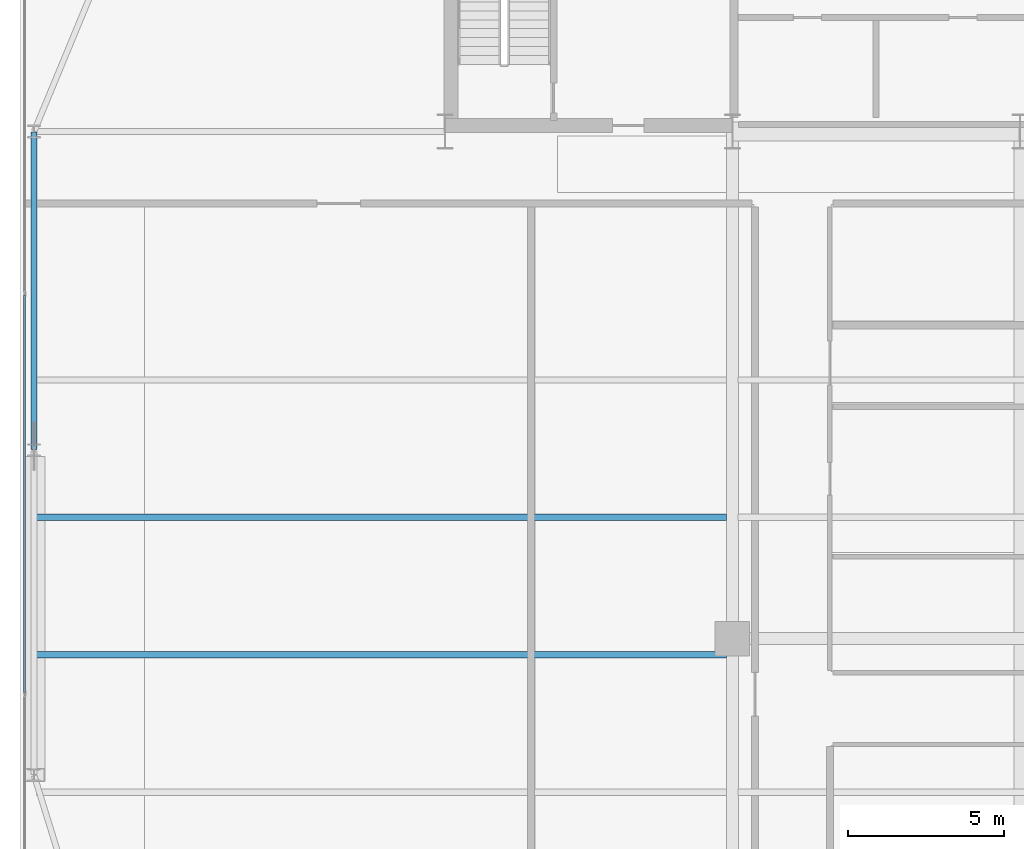
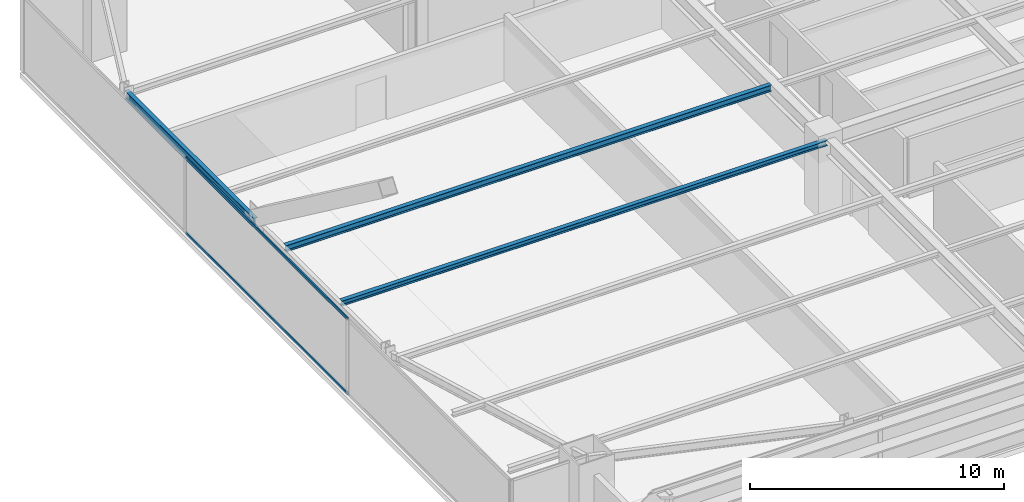
# One storey, part 9 of 35: 3 beams, 2 members, 1 element without a shape of its own.
"""IFC4 building model written with IfcOpenShell, lengths in metres."""

from ifc_helpers import new_model, si_unit, direction, frame, origin, origin_2d, place, context, subcontext, project, spatial, hollow_rectangle, i_section, extrude, source, transform, mapped, material, layer, layer_set, material_profile, profile_set, type_object, type_shapes, element, aggregate, save


model = new_model("IFC4")

# Units and contexts
model_context = context("Model", 3, precision=1e-05, world=origin(), true_north=direction((0.0, 1.0)))
body_context = subcontext(model_context, "Body", "Model", "MODEL_VIEW")
ifc_project = project(units=[si_unit("LENGTHUNIT", "METRE"), si_unit("AREAUNIT", "SQUARE_METRE"), si_unit("VOLUMEUNIT", "CUBIC_METRE"), si_unit("PLANEANGLEUNIT", "RADIAN"), si_unit("MASSUNIT", "GRAM", prefix="KILO")], contexts=[model_context])

# Site, building, storey
site_placement = place(None, origin())
site = spatial("IfcSite", under=ifc_project, at=site_placement, CompositionType="ELEMENT")
building_placement = place(site_placement, origin())
building = spatial("IfcBuilding", under=site, at=building_placement, Name="Varnel Quay Broadcast Tower", CompositionType="ELEMENT")
storey_placement = place(building_placement, frame((0.0, 0.0, 31.5)))
storey = spatial("IfcBuildingStorey", under=building, at=storey_placement, Name="L06", CompositionType="ELEMENT", Elevation=31.5)

# Beams
ifc_material_1 = material(Name="Structural Steel CSA G40.21 350W", Category="steel")
ifc_material_profile_1 = material_profile(ifc_material_1, i_section(OverallWidth=0.180908203125, OverallDepth=0.4169921875, WebThickness=0.010986328125, FlangeThickness=0.018310546875, FilletRadius=0.011962890625, at=origin_2d()), Name="W410X85")
ifc_profile_set_1 = profile_set([ifc_material_profile_1], Name="Structural Steel CSA G40.21 350W")
beam_type_1 = type_object("IfcBeamType", Name="Beam_W410X85", PredefinedType="SPANDREL", material=ifc_profile_set_1)
shared_shape_1 = source(origin(), body_context, "Body", "SweptSolid", [
    extrude(i_section(OverallWidth=0.180908203125, OverallDepth=0.4169921875, WebThickness=0.010986328125, FlangeThickness=0.018310546875, FilletRadius=0.011962890625, at=origin_2d()), origin(), (0.0, 0.0, 1.0), 10.16015625),
])
type_shapes(beam_type_1, [shared_shape_1])
beam_1_placement = place(storey_placement, frame((2.449951171875, 25.419921875, 3.44140625), z_axis=(0.0, 1.0, 0.0), x_axis=(-1.0, 0.0, 0.0)))
element("IfcBeam", 1, at=beam_1_placement, inside=storey, type_object=beam_type_1, Name="L06 West Spandrel TC-W2-TC-W3", PredefinedType="SPANDREL", context=body_context, shape_type="MappedRepresentation", body=[
    mapped(shared_shape_1, transform((0.0, 0.0, 0.0), x_axis=(1.0, 0.0, 0.0), y_axis=(0.0, 1.0, 0.0), z_axis=(0.0, 0.0, 1.0), scale=1.0)),
])
ifc_material_profile_2 = material_profile(ifc_material_1, i_section(OverallWidth=0.202880859375, OverallDepth=0.302978515625, WebThickness=0.007568359375, FlangeThickness=0.01318359375, FilletRadius=0.011962890625, at=origin_2d()), Name="W310X60")
ifc_profile_set_2 = profile_set([ifc_material_profile_2], Name="Structural Steel CSA G40.21 350W")
beam_type_2 = type_object("IfcBeamType", Name="Beam_W310X60", PredefinedType="JOIST", material=ifc_profile_set_2)
shared_shape_2 = source(origin(), body_context, "Body", "SweptSolid", [
    extrude(i_section(OverallWidth=0.202880859375, OverallDepth=0.302978515625, WebThickness=0.007568359375, FlangeThickness=0.01318359375, FilletRadius=0.011962890625, at=origin_2d()), origin(), (0.0, 0.0, 1.0), 22.0791015625),
])
type_shapes(beam_type_2, [shared_shape_2])
beam_2_placement = place(storey_placement, frame((2.535400390625, 23.25, 3.49853515625), z_axis=(1.0, 0.0, 0.0), x_axis=(0.0, 1.0, 0.0)))
element("IfcBeam", 2, at=beam_2_placement, inside=storey, type_object=beam_type_2, Name="L06 West Floor Joist 5", PredefinedType="JOIST", context=body_context, shape_type="MappedRepresentation", body=[
    mapped(shared_shape_2, transform((0.0, 0.0, 0.0), x_axis=(1.0, 0.0, 0.0), y_axis=(0.0, 1.0, 0.0), z_axis=(0.0, 0.0, 1.0), scale=1.0)),
])
ifc_material_profile_3 = material_profile(ifc_material_1, i_section(OverallWidth=0.201904296875, OverallDepth=0.2470703125, WebThickness=0.00732421875, FlangeThickness=0.010986328125, FilletRadius=0.010986328125, at=origin_2d()), Name="W250X49")
ifc_profile_set_3 = profile_set([ifc_material_profile_3], Name="Structural Steel CSA G40.21 350W")
beam_type_3 = type_object("IfcBeamType", Name="Beam_W250X49", PredefinedType="JOIST", material=ifc_profile_set_3)
shared_shape_3 = source(origin(), body_context, "Body", "SweptSolid", [
    extrude(i_section(OverallWidth=0.201904296875, OverallDepth=0.2470703125, WebThickness=0.00732421875, FlangeThickness=0.010986328125, FilletRadius=0.010986328125, at=origin_2d()), origin(), (0.0, 0.0, 1.0), 22.0791015625),
])
type_shapes(beam_type_3, [shared_shape_3])
beam_3_placement = place(storey_placement, frame((2.535400390625, 18.85009765625, 3.526611328125), z_axis=(1.0, 0.0, 0.0), x_axis=(0.0, 1.0, 0.0)))
element("IfcBeam", 3, at=beam_3_placement, inside=storey, type_object=beam_type_3, Name="L06 West Floor Joist 4", PredefinedType="JOIST", context=body_context, shape_type="MappedRepresentation", body=[
    mapped(shared_shape_3, transform((0.0, 0.0, 0.0), x_axis=(1.0, 0.0, 0.0), y_axis=(0.0, 1.0, 0.0), z_axis=(0.0, 0.0, 1.0), scale=1.0)),
])

# Curtain wall, members
ifc_material_2 = material(Name="Anodised Bronze Aluminium 6063-T6", Category="aluminium")
ifc_layer = layer(ifc_material_2, 0.18994140625, Name="Anodised Bronze Aluminium 6063-T6")
ifc_layer_set = layer_set([ifc_layer], Name="Anodised Bronze Aluminium 6063-T6")
curtain_wall_type = type_object("IfcCurtainWallType", Name="CW_LowerTower", PredefinedType="NOTDEFINED", material=ifc_layer_set)
curtain_wall_placement = place(storey_placement, origin())
curtain_wall = element("IfcCurtainWall", 4, at=curtain_wall_placement, inside=storey, type_object=curtain_wall_type, Name="L06 West Unitised Curtain Wall", PredefinedType="NOTDEFINED")
ifc_material_profile_4 = material_profile(ifc_material_2, hollow_rectangle(XDim=0.06005859375, YDim=0.14501953125, WallThickness=0.00341796875, at=origin_2d()), Name="ALU60X145X3.5")
ifc_profile_set_4 = profile_set([ifc_material_profile_4], Name="Anodised Bronze Aluminium 6063-T6")
member_type = type_object("IfcMemberType", Name="Tran_CWS-02", PredefinedType="USERDEFINED", material=ifc_profile_set_4)
shared_shape_4 = source(origin(), body_context, "Body", "SweptSolid", [
    extrude(hollow_rectangle(XDim=0.06005859375, YDim=0.14501953125, WallThickness=0.00341796875, at=origin_2d()), origin(), (0.0, 0.0, 1.0), 12.72998046875),
])
type_shapes(member_type, [shared_shape_4])
member_1_placement = place(storey_placement, frame((2.14990234375, 17.635009765625, 0.030029296875), z_axis=(0.0, 1.0, 0.0), x_axis=(-1.0, 0.0, 0.0)))
member_1 = element("IfcMember", 5, at=member_1_placement, type_object=member_type, Name="CWS-02 transom 2.1", ObjectType="TRANSOM", PredefinedType="USERDEFINED", context=body_context, shape_type="MappedRepresentation", body=[
    mapped(shared_shape_4, transform((0.0, 0.0, 0.0), x_axis=(1.0, 0.0, 0.0), y_axis=(0.0, 1.0, 0.0), z_axis=(0.0, 0.0, 1.0), scale=1.0)),
])
member_2_placement = place(storey_placement, frame((2.14990234375, 17.635009765625, 3.6201171875), z_axis=(0.0, 1.0, 0.0), x_axis=(-1.0, 0.0, 0.0)))
member_2 = element("IfcMember", 6, at=member_2_placement, type_object=member_type, Name="CWS-02 transom 2.2", ObjectType="TRANSOM", PredefinedType="USERDEFINED", context=body_context, shape_type="MappedRepresentation", body=[
    mapped(shared_shape_4, transform((0.0, 0.0, 0.0), x_axis=(1.0, 0.0, 0.0), y_axis=(0.0, 1.0, 0.0), z_axis=(0.0, 0.0, 1.0), scale=1.0)),
])
aggregate(curtain_wall, [member_1, member_2])

save(model, "model.ifc")
